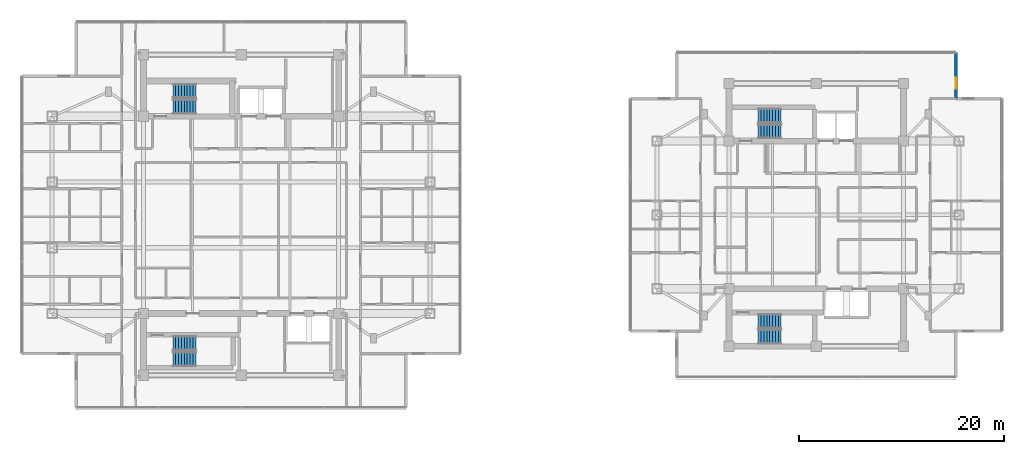
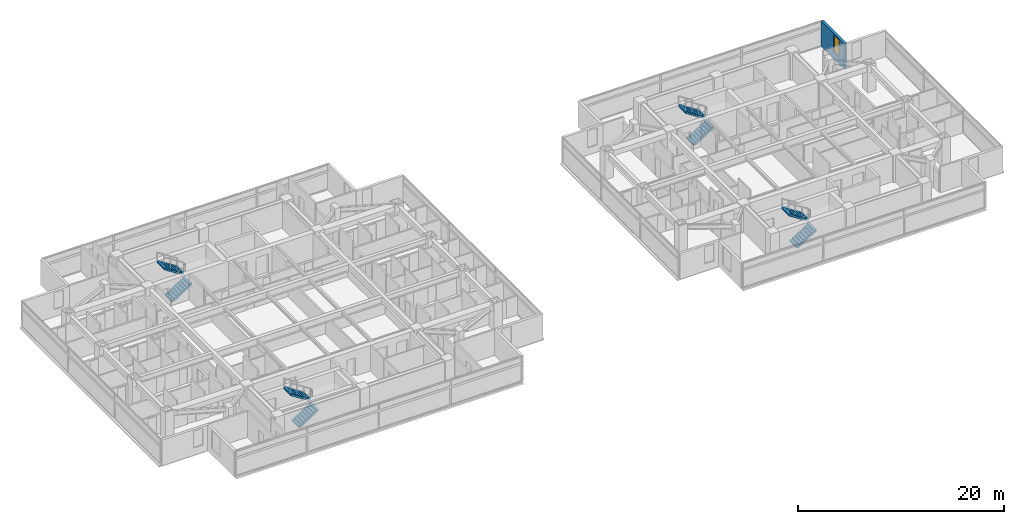
# One storey, part 19 of 25: 8 stair flights, 1 wall, 1 window, 1 opening, 4 elements without a shape of their own.
"""IFC4 building model written with IfcOpenShell, lengths in metres."""

from ifc_helpers import new_model, si_unit, direction, frame, frame_2d, origin, place, context, subcontext, project, spatial, polyline, rectangle, outline, extrude, material, layer, layer_set, type_object, element, fill, aggregate, save


model = new_model("IFC4")

# Units and contexts
model_context = context("Model", 3, precision=1e-05, world=origin(), true_north=direction((0.0, 1.0)))
body_context = subcontext(model_context, "Body", "Model", "MODEL_VIEW")
ifc_project = project(units=[si_unit("LENGTHUNIT", "METRE"), si_unit("AREAUNIT", "SQUARE_METRE"), si_unit("VOLUMEUNIT", "CUBIC_METRE"), si_unit("PLANEANGLEUNIT", "RADIAN"), si_unit("MASSUNIT", "GRAM", prefix="KILO")], contexts=[model_context])

# Site, building, storey
site_placement = place(None, origin())
site = spatial("IfcSite", under=ifc_project, at=site_placement, CompositionType="ELEMENT")
building_placement = place(site_placement, origin())
building = spatial("IfcBuilding", under=site, at=building_placement, Name="Mirazonda Arch Towers", CompositionType="ELEMENT")
storey_placement = place(building_placement, frame((0.0, 0.0, 173.89990234375)))
storey = spatial("IfcBuildingStorey", under=building, at=storey_placement, Name="L49", CompositionType="ELEMENT", Elevation=173.89990234375)

# Wall, opening, window
ifc_material_1 = material(Name="Precast Concrete C40/50", Category="concrete")
ifc_layer = layer(ifc_material_1, 0.280029296875, Name="WALL-EXT-WALL-280")
ifc_layer_set = layer_set([ifc_layer], Name="Precast Concrete C40/50")
wall_type = type_object("IfcWallType", Name="WALL-EXT-WALL-280", PredefinedType="SOLIDWALL", material=ifc_layer_set)
wall_placement = place(storey_placement, frame((90.09521484375, 39.326171875, 0.0), z_axis=(0.0, 0.0, 1.0), x_axis=(0.0, 1.0, 0.0)))
wall = element("IfcWall", 1, at=wall_placement, inside=storey, type_object=wall_type, Name="L49 T2 Notched NE Corner Wall WL-L49-T2-CNE", PredefinedType="SOLIDWALL", context=body_context, shape_type="SweptSolid", body=[
    extrude(rectangle(XDim=4.465087890625, YDim=0.280029296875, at=frame_2d((2.232421875, 0.0))), origin(), (0.0, 0.0, 1.0), 3.030029296875),
])
opening_placement = place(wall_placement, frame((0.949951171875, 0.0, 0.85009765625)))
opening = element("IfcOpeningElement", 2, at=opening_placement, cuts=wall, Name="Opening WN-108", PredefinedType="OPENING", context=body_context, shape_type="SweptSolid", body=[
    extrude(rectangle(XDim=1.10009765625, YDim=2.0, at=frame_2d((0.550048828125, 1.0))), frame((0.0, 0.14990234375, 0.0), z_axis=(0.0, -1.0, 0.0), x_axis=(1.0, 0.0, 0.0)), (0.0, 0.0, 1.0), 0.300048828125),
])
ifc_material_2 = material(Name="Insulated Low-E Solar Glass", Category="glass")
window_type = type_object("IfcWindowType", Name="WIN-NOTCH-1100x2000", PartitioningType="SINGLE_PANEL", PredefinedType="WINDOW", material=ifc_material_2)
window_placement = place(opening_placement, origin())
window = element("IfcWindow", 3, at=window_placement, inside=storey, type_object=window_type, Name="L49 Punched Facade Window WN-L49-T2-CNE", OverallHeight=2.0, OverallWidth=1.10009765625, PartitioningType="SINGLE_PANEL", PredefinedType="WINDOW", context=body_context, shape_type="SweptSolid", body=[
    extrude(rectangle(XDim=1.10009765625, YDim=2.0, at=frame_2d((0.550048828125, 1.0))), frame((0.0, 0.030029296875, 0.0), z_axis=(0.0, -1.0, 0.0), x_axis=(1.0, 0.0, 0.0)), (0.0, 0.0, 1.0), 0.06005859375),
])
fill(opening, window)

# Stair, stair flights
ifc_material_3 = material(Name="Concrete C40/50", Category="concrete")
stair_type = type_object("IfcStairType", Name="STAIR-CORE-1400", PredefinedType="HALF_TURN_STAIR", material=ifc_material_3)
stair_1_placement = place(storey_placement, origin())
stair_1 = element("IfcStair", 4, at=stair_1_placement, inside=storey, type_object=stair_type, Name="L49 Protected Exit Stair ST-T1N", PredefinedType="HALF_TURN_STAIR")
stair_flight_type = type_object("IfcStairFlightType", Name="FLIGHT-1400", PredefinedType="STRAIGHT", material=ifc_material_3)
stair_flight_1_placement = place(storey_placement, frame((13.85009765625, 38.52001953125, 0.0), z_axis=(0.0, 0.0, 1.0), x_axis=(1.0, 0.0, 0.0)))
stair_flight_1 = element("IfcStairFlight", 5, at=stair_flight_1_placement, type_object=stair_flight_type, Name="ST-T1N flight 1", NumberOfRisers=9, NumberOfTreads=8, PredefinedType="STRAIGHT", RiserHeight=0.180555556, TreadLength=0.28, context=body_context, shape_type="SweptSolid", body=[
    extrude(outline(polyline([(0.0, 0.0), (0.0, 0.1806640625), (0.280029296875, 0.1806640625), (0.280029296875, 0.361083984375), (0.56005859375, 0.361083984375), (0.56005859375, 0.541748046875), (0.840087890625, 0.541748046875), (0.840087890625, 0.72216796875), (1.1201171875, 0.72216796875), (1.1201171875, 0.90283203125), (1.39990234375, 0.90283203125), (1.39990234375, 1.083251953125), (1.679931640625, 1.083251953125), (1.679931640625, 1.263916015625), (1.9599609375, 1.263916015625), (1.9599609375, 1.4443359375), (2.239990234375, 1.4443359375), (2.239990234375, 1.625), (2.239990234375, 1.254150390625), (0.295166015625, 0.0), (0.0, 0.0)])), frame((0.0, 0.699951171875, 0.0), z_axis=(0.0, -1.0, 0.0), x_axis=(1.0, 0.0, 0.0)), (0.0, 0.0, 1.0), 1.39990234375),
])
stair_flight_2_placement = place(storey_placement, frame((16.090087890625, 40.06005859375, 1.625), z_axis=(0.0, 0.0, 1.0), x_axis=(-1.0, 0.0, 0.0)))
stair_flight_2 = element("IfcStairFlight", 6, at=stair_flight_2_placement, type_object=stair_flight_type, Name="ST-T1N flight 2", NumberOfRisers=9, NumberOfTreads=8, PredefinedType="STRAIGHT", RiserHeight=0.180555556, TreadLength=0.28, context=body_context, shape_type="SweptSolid", body=[
    extrude(outline(polyline([(0.0, 0.0), (0.0, 0.1806640625), (0.280029296875, 0.1806640625), (0.280029296875, 0.361083984375), (0.56005859375, 0.361083984375), (0.56005859375, 0.541748046875), (0.840087890625, 0.541748046875), (0.840087890625, 0.72216796875), (1.1201171875, 0.72216796875), (1.1201171875, 0.90283203125), (1.39990234375, 0.90283203125), (1.39990234375, 1.083251953125), (1.679931640625, 1.083251953125), (1.679931640625, 1.263916015625), (1.9599609375, 1.263916015625), (1.9599609375, 1.4443359375), (2.239990234375, 1.4443359375), (2.239990234375, 1.625), (2.239990234375, 1.254150390625), (0.295166015625, 0.0), (0.0, 0.0)])), frame((0.0, 0.699951171875, 0.0), z_axis=(0.0, -1.0, 0.0), x_axis=(1.0, 0.0, 0.0)), (0.0, 0.0, 1.0), 1.39990234375),
])
aggregate(stair_1, [stair_flight_1, stair_flight_2])

stair_2_placement = place(storey_placement, origin())
stair_2 = element("IfcStair", 7, at=stair_2_placement, inside=storey, type_object=stair_type, Name="L49 Protected Exit Stair ST-T1S", PredefinedType="HALF_TURN_STAIR")
stair_flight_3_placement = place(storey_placement, frame((13.85009765625, 13.949951171875, 0.0), z_axis=(0.0, 0.0, 1.0), x_axis=(1.0, 0.0, 0.0)))
stair_flight_3 = element("IfcStairFlight", 8, at=stair_flight_3_placement, type_object=stair_flight_type, Name="ST-T1S flight 1", NumberOfRisers=9, NumberOfTreads=8, PredefinedType="STRAIGHT", RiserHeight=0.180555556, TreadLength=0.28, context=body_context, shape_type="SweptSolid", body=[
    extrude(outline(polyline([(0.0, 0.0), (0.0, 0.1806640625), (0.280029296875, 0.1806640625), (0.280029296875, 0.361083984375), (0.56005859375, 0.361083984375), (0.56005859375, 0.541748046875), (0.840087890625, 0.541748046875), (0.840087890625, 0.72216796875), (1.1201171875, 0.72216796875), (1.1201171875, 0.90283203125), (1.39990234375, 0.90283203125), (1.39990234375, 1.083251953125), (1.679931640625, 1.083251953125), (1.679931640625, 1.263916015625), (1.9599609375, 1.263916015625), (1.9599609375, 1.4443359375), (2.239990234375, 1.4443359375), (2.239990234375, 1.625), (2.239990234375, 1.254150390625), (0.295166015625, 0.0), (0.0, 0.0)])), frame((0.0, 0.699951171875, 0.0), z_axis=(0.0, -1.0, 0.0), x_axis=(1.0, 0.0, 0.0)), (0.0, 0.0, 1.0), 1.39990234375),
])
stair_flight_4_placement = place(storey_placement, frame((16.090087890625, 15.489990234375, 1.625), z_axis=(0.0, 0.0, 1.0), x_axis=(-1.0, 0.0, 0.0)))
stair_flight_4 = element("IfcStairFlight", 9, at=stair_flight_4_placement, type_object=stair_flight_type, Name="ST-T1S flight 2", NumberOfRisers=9, NumberOfTreads=8, PredefinedType="STRAIGHT", RiserHeight=0.180555556, TreadLength=0.28, context=body_context, shape_type="SweptSolid", body=[
    extrude(outline(polyline([(0.0, 0.0), (0.0, 0.1806640625), (0.280029296875, 0.1806640625), (0.280029296875, 0.361083984375), (0.56005859375, 0.361083984375), (0.56005859375, 0.541748046875), (0.840087890625, 0.541748046875), (0.840087890625, 0.72216796875), (1.1201171875, 0.72216796875), (1.1201171875, 0.90283203125), (1.39990234375, 0.90283203125), (1.39990234375, 1.083251953125), (1.679931640625, 1.083251953125), (1.679931640625, 1.263916015625), (1.9599609375, 1.263916015625), (1.9599609375, 1.4443359375), (2.239990234375, 1.4443359375), (2.239990234375, 1.625), (2.239990234375, 1.254150390625), (0.295166015625, 0.0), (0.0, 0.0)])), frame((0.0, 0.699951171875, 0.0), z_axis=(0.0, -1.0, 0.0), x_axis=(1.0, 0.0, 0.0)), (0.0, 0.0, 1.0), 1.39990234375),
])
aggregate(stair_2, [stair_flight_3, stair_flight_4])

stair_3_placement = place(storey_placement, origin())
stair_3 = element("IfcStair", 10, at=stair_3_placement, inside=storey, type_object=stair_type, Name="L49 Protected Exit Stair ST-T2N", PredefinedType="HALF_TURN_STAIR")
stair_flight_5_placement = place(storey_placement, frame((70.85009765625, 36.1201171875, 0.0), z_axis=(0.0, 0.0, 1.0), x_axis=(1.0, 0.0, 0.0)))
stair_flight_5 = element("IfcStairFlight", 11, at=stair_flight_5_placement, type_object=stair_flight_type, Name="ST-T2N flight 1", NumberOfRisers=9, NumberOfTreads=8, PredefinedType="STRAIGHT", RiserHeight=0.180555556, TreadLength=0.28, context=body_context, shape_type="SweptSolid", body=[
    extrude(outline(polyline([(0.0, 0.0), (0.0, 0.1806640625), (0.280029296875, 0.1806640625), (0.280029296875, 0.361083984375), (0.56005859375, 0.361083984375), (0.56005859375, 0.541748046875), (0.840087890625, 0.541748046875), (0.840087890625, 0.72216796875), (1.1201171875, 0.72216796875), (1.1201171875, 0.90283203125), (1.39990234375, 0.90283203125), (1.39990234375, 1.083251953125), (1.679931640625, 1.083251953125), (1.679931640625, 1.263916015625), (1.9599609375, 1.263916015625), (1.9599609375, 1.4443359375), (2.239990234375, 1.4443359375), (2.239990234375, 1.625), (2.239990234375, 1.254150390625), (0.295166015625, 0.0), (0.0, 0.0)])), frame((0.0, 0.699951171875, 0.0), z_axis=(0.0, -1.0, 0.0), x_axis=(1.0, 0.0, 0.0)), (0.0, 0.0, 1.0), 1.39990234375),
])
stair_flight_6_placement = place(storey_placement, frame((73.090087890625, 37.659912109375, 1.625), z_axis=(0.0, 0.0, 1.0), x_axis=(-1.0, 0.0, 0.0)))
stair_flight_6 = element("IfcStairFlight", 12, at=stair_flight_6_placement, type_object=stair_flight_type, Name="ST-T2N flight 2", NumberOfRisers=9, NumberOfTreads=8, PredefinedType="STRAIGHT", RiserHeight=0.180555556, TreadLength=0.28, context=body_context, shape_type="SweptSolid", body=[
    extrude(outline(polyline([(0.0, 0.0), (0.0, 0.1806640625), (0.280029296875, 0.1806640625), (0.280029296875, 0.361083984375), (0.56005859375, 0.361083984375), (0.56005859375, 0.541748046875), (0.840087890625, 0.541748046875), (0.840087890625, 0.72216796875), (1.1201171875, 0.72216796875), (1.1201171875, 0.90283203125), (1.39990234375, 0.90283203125), (1.39990234375, 1.083251953125), (1.679931640625, 1.083251953125), (1.679931640625, 1.263916015625), (1.9599609375, 1.263916015625), (1.9599609375, 1.4443359375), (2.239990234375, 1.4443359375), (2.239990234375, 1.625), (2.239990234375, 1.254150390625), (0.295166015625, 0.0), (0.0, 0.0)])), frame((0.0, 0.699951171875, 0.0), z_axis=(0.0, -1.0, 0.0), x_axis=(1.0, 0.0, 0.0)), (0.0, 0.0, 1.0), 1.39990234375),
])
aggregate(stair_3, [stair_flight_5, stair_flight_6])

stair_4_placement = place(storey_placement, origin())
stair_4 = element("IfcStair", 13, at=stair_4_placement, inside=storey, type_object=stair_type, Name="L49 Protected Exit Stair ST-T2S", PredefinedType="HALF_TURN_STAIR")
stair_flight_7_placement = place(storey_placement, frame((70.85009765625, 16.1201171875, 0.0), z_axis=(0.0, 0.0, 1.0), x_axis=(1.0, 0.0, 0.0)))
stair_flight_7 = element("IfcStairFlight", 14, at=stair_flight_7_placement, type_object=stair_flight_type, Name="ST-T2S flight 1", NumberOfRisers=9, NumberOfTreads=8, PredefinedType="STRAIGHT", RiserHeight=0.180555556, TreadLength=0.28, context=body_context, shape_type="SweptSolid", body=[
    extrude(outline(polyline([(0.0, 0.0), (0.0, 0.1806640625), (0.280029296875, 0.1806640625), (0.280029296875, 0.361083984375), (0.56005859375, 0.361083984375), (0.56005859375, 0.541748046875), (0.840087890625, 0.541748046875), (0.840087890625, 0.72216796875), (1.1201171875, 0.72216796875), (1.1201171875, 0.90283203125), (1.39990234375, 0.90283203125), (1.39990234375, 1.083251953125), (1.679931640625, 1.083251953125), (1.679931640625, 1.263916015625), (1.9599609375, 1.263916015625), (1.9599609375, 1.4443359375), (2.239990234375, 1.4443359375), (2.239990234375, 1.625), (2.239990234375, 1.254150390625), (0.295166015625, 0.0), (0.0, 0.0)])), frame((0.0, 0.699951171875, 0.0), z_axis=(0.0, -1.0, 0.0), x_axis=(1.0, 0.0, 0.0)), (0.0, 0.0, 1.0), 1.39990234375),
])
stair_flight_8_placement = place(storey_placement, frame((73.090087890625, 17.659912109375, 1.625), z_axis=(0.0, 0.0, 1.0), x_axis=(-1.0, 0.0, 0.0)))
stair_flight_8 = element("IfcStairFlight", 15, at=stair_flight_8_placement, type_object=stair_flight_type, Name="ST-T2S flight 2", NumberOfRisers=9, NumberOfTreads=8, PredefinedType="STRAIGHT", RiserHeight=0.180555556, TreadLength=0.28, context=body_context, shape_type="SweptSolid", body=[
    extrude(outline(polyline([(0.0, 0.0), (0.0, 0.1806640625), (0.280029296875, 0.1806640625), (0.280029296875, 0.361083984375), (0.56005859375, 0.361083984375), (0.56005859375, 0.541748046875), (0.840087890625, 0.541748046875), (0.840087890625, 0.72216796875), (1.1201171875, 0.72216796875), (1.1201171875, 0.90283203125), (1.39990234375, 0.90283203125), (1.39990234375, 1.083251953125), (1.679931640625, 1.083251953125), (1.679931640625, 1.263916015625), (1.9599609375, 1.263916015625), (1.9599609375, 1.4443359375), (2.239990234375, 1.4443359375), (2.239990234375, 1.625), (2.239990234375, 1.254150390625), (0.295166015625, 0.0), (0.0, 0.0)])), frame((0.0, 0.699951171875, 0.0), z_axis=(0.0, -1.0, 0.0), x_axis=(1.0, 0.0, 0.0)), (0.0, 0.0, 1.0), 1.39990234375),
])
aggregate(stair_4, [stair_flight_7, stair_flight_8])

save(model, "model.ifc")
